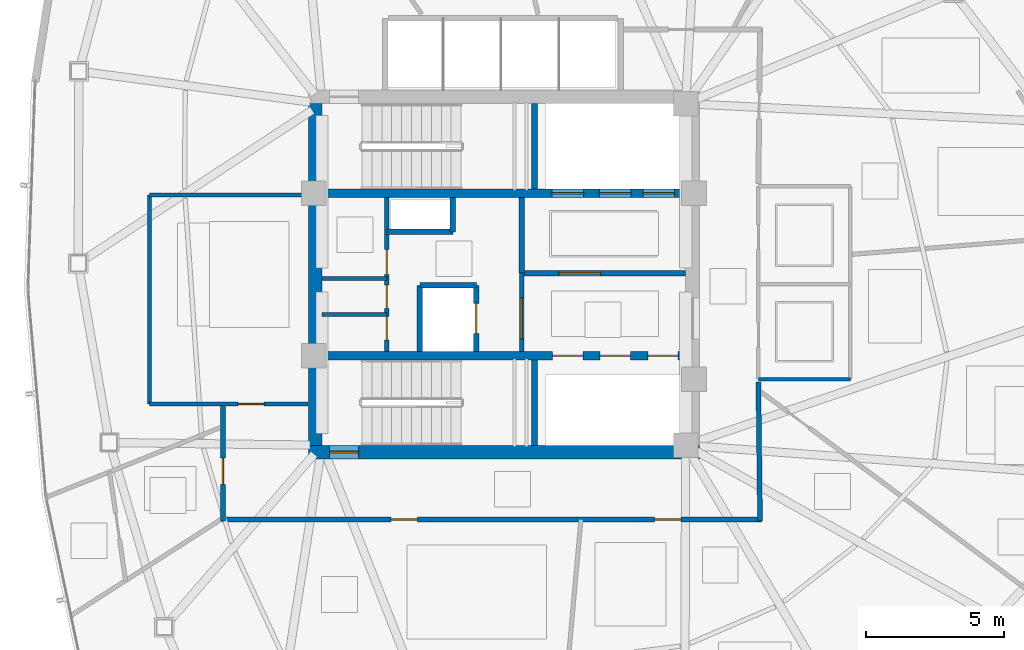
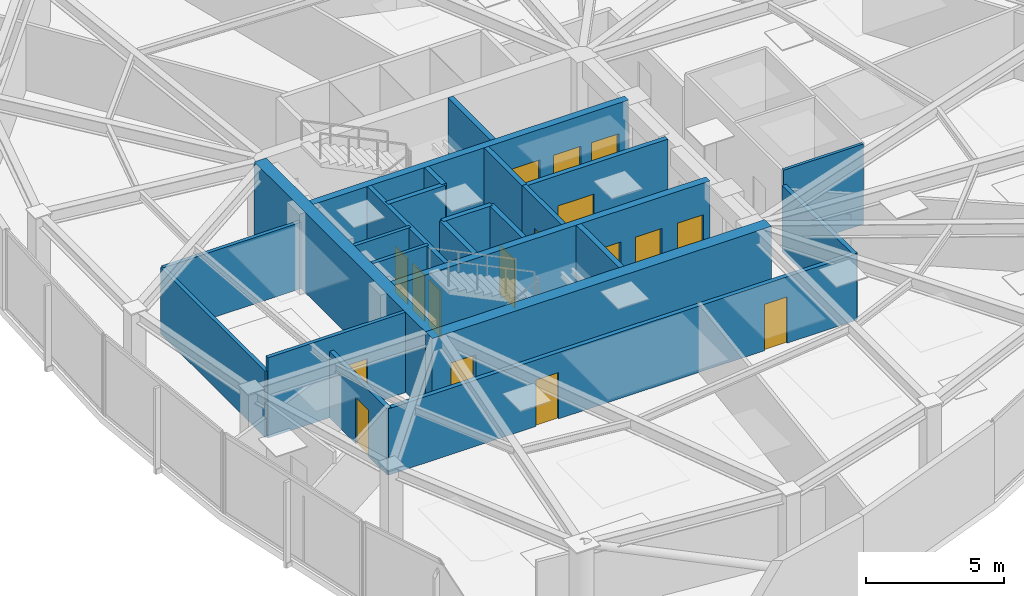
# One storey, part 11 of 17: 24 walls, 17 doors, 17 openings.
"""IFC4 building model written with IfcOpenShell, lengths in metres."""

import ifcopenshell
import ifcopenshell.guid

model = None  # the IFC model being written
_history = None  # IfcOwnerHistory: only IFC2X3 demands one
_inside = {}  # id of a spatial element -> (the spatial element, [elements in it])
_under = {}  # id of a project, library or spatial element -> (it, [spatial elements below it])
_declared = {}  # id of a project -> (the project, [libraries it declares])
_typed = {}  # id of a type object -> (the type object, [elements of that type])
_made_of = {}  # id of a material, layer set ... -> (it, [elements and type objects made of it])


def new_model(schema):
    """Start an empty IFC model of exactly this schema.

    Asked for "IFC4X3", IfcOpenShell would pick the latest addendum, in which some entities
    have other attributes; the version numbers below select the first issue.
    IFC2X3 requires an IfcOwnerHistory on every rooted entity: one is made here for all.
    """
    global model, _history
    if schema == "IFC4X3":
        model = ifcopenshell.file(schema_version=(4, 3, 0, 0))
    else:
        model = ifcopenshell.file(schema=schema)
    _inside.clear()
    _under.clear()
    _declared.clear()
    _typed.clear()
    _made_of.clear()
    _history = None
    if model.schema == "IFC2X3":
        org = make("IfcOrganization", Name="unknown")
        user = make(
            "IfcPersonAndOrganization",
            ThePerson=make("IfcPerson", FamilyName="unknown"),
            TheOrganization=org,
        )
        app = make(
            "IfcApplication",
            ApplicationDeveloper=org,
            Version="unknown",
            ApplicationFullName="unknown",
            ApplicationIdentifier="unknown",
        )
        _history = make(
            "IfcOwnerHistory",
            OwningUser=user,
            OwningApplication=app,
            ChangeAction="ADDED",
            CreationDate=0,
        )
    return model


def make(cls, **values):
    """One entity of the class cls with the attributes given. An attribute that is None is left unset."""
    return model.create_entity(
        cls, **{name: value for name, value in values.items() if value is not None}
    )


def rooted(cls, **values):
    """An entity with a GlobalId (a new one), such as an element, a storey or a relation."""
    return make(cls, GlobalId=ifcopenshell.guid.new(), OwnerHistory=_history, **values)


def si_unit(unit_type, name, prefix=None):
    """IfcSIUnit, for example si_unit("LENGTHUNIT", "METRE", prefix="MILLI")."""
    return make("IfcSIUnit", UnitType=unit_type, Prefix=prefix, Name=name)


def assignment(units):
    """IfcUnitAssignment: the units of a project."""
    return None if units is None else make("IfcUnitAssignment", Units=units)


def point(xyz):
    """IfcCartesianPoint."""
    return None if xyz is None else make("IfcCartesianPoint", Coordinates=xyz)


def direction(xyz):
    """IfcDirection."""
    return None if xyz is None else make("IfcDirection", DirectionRatios=xyz)


def frame(location, z_axis=None, x_axis=None):
    """IfcAxis2Placement3D, a coordinate frame: its origin and axes. An axis left out is left unset."""
    return make(
        "IfcAxis2Placement3D",
        Location=point(location),
        Axis=direction(z_axis),
        RefDirection=direction(x_axis),
    )


def frame_2d(location, x_axis=None):
    """IfcAxis2Placement2D, a coordinate frame in the plane: its origin and x axis."""
    return make(
        "IfcAxis2Placement2D", Location=point(location), RefDirection=direction(x_axis)
    )


def origin():
    """The frame at (0, 0, 0) with its axes left unset."""
    return frame((0.0, 0.0, 0.0))


def place(relative_to, where):
    """IfcLocalPlacement: puts the frame where relative to a parent placement (None: the world)."""
    return make(
        "IfcLocalPlacement", PlacementRelTo=relative_to, RelativePlacement=where
    )


def context(
    kind, dimensions, precision=None, world=None, true_north=None, identifier=None
):
    """IfcGeometricRepresentationContext, for example the 3D "Model" context."""
    return make(
        "IfcGeometricRepresentationContext",
        ContextIdentifier=identifier,
        ContextType=kind,
        CoordinateSpaceDimension=dimensions,
        Precision=precision,
        WorldCoordinateSystem=world,
        TrueNorth=true_north,
    )


def subcontext(parent, identifier, kind, view, scale=None):
    """IfcGeometricRepresentationSubContext, for example "Body" below "Model"."""
    return make(
        "IfcGeometricRepresentationSubContext",
        ContextIdentifier=identifier,
        ContextType=kind,
        ParentContext=parent,
        TargetScale=scale,
        TargetView=view,
    )


def project(units=None, contexts=None):
    """IfcProject with its units and contexts."""
    return rooted(
        "IfcProject",
        Name="project",
        RepresentationContexts=contexts,
        UnitsInContext=assignment(units),
    )


def spatial(cls, under=None, at=None, **own):
    """A site, building, storey or space (cls), placed at a placement, below another one or the project."""
    s = rooted(cls, ObjectPlacement=at, **own)
    if under is not None:
        _under.setdefault(under.id(), (under, []))[1].append(s)
    return s


def profile(cls, at=None, kind="AREA", **sizes):
    """A parametric profile (cls). Its sizes go by their IFC names, for example OverallWidth=200.0."""
    return make(cls, ProfileType=kind, Position=at, **sizes)


def rectangle(**sizes):
    """IfcRectangleProfileDef."""
    return profile("IfcRectangleProfileDef", **sizes)


def extrude(swept, where, along, depth):
    """IfcExtrudedAreaSolid: the profile swept, set in the frame where, extruded along a direction by depth."""
    return make(
        "IfcExtrudedAreaSolid",
        SweptArea=swept,
        Position=where,
        ExtrudedDirection=direction(along),
        Depth=depth,
    )


def shape(context_of_items, identifier, shape_type, items):
    """IfcShapeRepresentation: the items that make up one representation, for example the "Body"."""
    return make(
        "IfcShapeRepresentation",
        ContextOfItems=context_of_items,
        RepresentationIdentifier=identifier,
        RepresentationType=shape_type,
        Items=items,
    )


def material(Name=None, Category=None):
    """IfcMaterial."""
    return make("IfcMaterial", Name=Name, Category=Category)


def layer(
    of_material, thickness, ventilated=None, Name=None, Category=None, Priority=None
):
    """IfcMaterialLayer: one layer of a wall or slab, of a material (None: an air gap)."""
    return make(
        "IfcMaterialLayer",
        Material=of_material,
        LayerThickness=thickness,
        IsVentilated=ventilated,
        Name=Name,
        Category=Category,
        Priority=Priority,
    )


def layer_set(layers, Name=None):
    """IfcMaterialLayerSet."""
    return make("IfcMaterialLayerSet", MaterialLayers=layers, LayerSetName=Name)


def made_of(thing, what):
    """Note that an element or type object is made of a material, layer set ...; save() writes the relation."""
    if what is not None:
        _made_of.setdefault(what.id(), (what, []))[1].append(thing)
    return thing


def type_object(cls, material=None, **own):
    """A type object (cls), such as IfcWallType, which elements share."""
    return made_of(rooted(cls, **own), material)


def element(
    cls,
    number,
    at=None,
    inside=None,
    cuts=None,
    type_object=None,
    material=None,
    context=None,
    identifier="Body",
    shape_type=None,
    held_by="IfcProductDefinitionShape",
    body=None,
    shapes=None,
    **own,
):
    """One element of the class cls, such as IfcWall. Its Tag is "e" and its number.

    at: its placement. inside: the storey or other place that contains it. cuts: it is an
    opening in that element (IfcRelVoidsElement). A single representation is given by context,
    identifier, shape_type and body (its items); several are given by shapes. held_by: the class
    of the entity that holds the representations. save() writes the other relations.
    """
    e = rooted(cls, Tag="e%d" % number, ObjectPlacement=at, **own)
    if body is not None:
        shapes = [shape(context, identifier, shape_type, body)]
    if shapes is not None:
        e.Representation = make(held_by, Representations=shapes)
    if inside is not None:
        _inside.setdefault(inside.id(), (inside, []))[1].append(e)
    if cuts is not None:
        rooted(
            "IfcRelVoidsElement", RelatingBuildingElement=cuts, RelatedOpeningElement=e
        )
    if type_object is not None:
        _typed.setdefault(type_object.id(), (type_object, []))[1].append(e)
    return made_of(e, material)


def fill(opening, filler):
    """IfcRelFillsElement: the door or window that sits in an opening."""
    return rooted(
        "IfcRelFillsElement",
        RelatingOpeningElement=opening,
        RelatedBuildingElement=filler,
    )


def aggregate(whole, parts):
    """IfcRelAggregates: a whole, such as a stair, and the parts it consists of."""
    return rooted("IfcRelAggregates", RelatingObject=whole, RelatedObjects=parts)


def save(model, path):
    """Write the relations noted so far, then the file.

    IfcRelAggregates (storeys below a building ...), IfcRelContainedInSpatialStructure (elements
    in a storey), IfcRelDefinesByType, IfcRelAssociatesMaterial and IfcRelDeclares: one each for
    every whole, place, type object, material and project.
    """
    for whole, parts in _under.values():
        aggregate(whole, parts)
    for where, things in _inside.values():
        rooted(
            "IfcRelContainedInSpatialStructure",
            RelatedElements=things,
            RelatingStructure=where,
        )
    for kind, things in _typed.values():
        rooted("IfcRelDefinesByType", RelatedObjects=things, RelatingType=kind)
    for what, things in _made_of.values():
        rooted("IfcRelAssociatesMaterial", RelatedObjects=things, RelatingMaterial=what)
    for by, libraries in _declared.values():
        rooted("IfcRelDeclares", RelatingContext=by, RelatedDefinitions=libraries)
    model.write(path)


model = new_model("IFC4")

# Units and contexts
model_context = context("Model", 3, precision=1e-05, world=origin(), true_north=direction((0.0, 1.0)))
body_context = subcontext(model_context, "Body", "Model", "MODEL_VIEW")
ifc_project = project(units=[si_unit("LENGTHUNIT", "METRE"), si_unit("AREAUNIT", "SQUARE_METRE"), si_unit("VOLUMEUNIT", "CUBIC_METRE"), si_unit("PLANEANGLEUNIT", "RADIAN"), si_unit("MASSUNIT", "GRAM", prefix="KILO")], contexts=[model_context])

# Site, building, storey
site_placement = place(None, origin())
site = spatial("IfcSite", under=ifc_project, at=site_placement, CompositionType="ELEMENT")
building_placement = place(site_placement, origin())
building = spatial("IfcBuilding", under=site, at=building_placement, Name="Tavelor Broadcast Tower", CompositionType="ELEMENT")
storey_placement = place(building_placement, frame((0.0, 0.0, 165.64990234375)))
storey = spatial("IfcBuildingStorey", under=building, at=storey_placement, Name="L39", CompositionType="ELEMENT", Elevation=165.64990234375)

# Wall, opening, door
ifc_material_1 = material(Name="Concrete C50/60", Category="concrete")
ifc_layer_1 = layer(ifc_material_1, 0.5)
ifc_layer_set_1 = layer_set([ifc_layer_1], Name="Concrete C50/60")
wall_type_1 = type_object("IfcWallType", Name="Core Shear Wall 500 mm", PredefinedType="SHEAR", material=ifc_layer_set_1)
wall_1_placement = place(storey_placement, frame((42.89990234375, 38.550048828125, 0.0), z_axis=(0.0, 0.0, 1.0), x_axis=(1.0, 0.0, 0.0)))
wall_1 = element("IfcWall", 1, at=wall_1_placement, inside=storey, type_object=wall_type_1, Name="L39 Central Core Shear Wall S", PredefinedType="SHEAR", context=body_context, shape_type="SweptSolid", body=[
    extrude(rectangle(XDim=14.2001953125, YDim=0.5, at=frame_2d((7.10009765625, 0.0))), origin(), (0.0, 0.0, 1.0), 3.550048828125),
])
opening_1_placement = place(wall_1_placement, frame((0.780029296875, 0.0, 0.0)))
opening_1 = element("IfcOpeningElement", 2, at=opening_1_placement, cuts=wall_1, Name="Opening DR11", PredefinedType="OPENING", context=body_context, shape_type="SweptSolid", body=[
    extrude(rectangle(XDim=1.050048828125, YDim=2.199951171875, at=frame_2d((0.52490234375, 1.10009765625))), frame((0.0, 0.260009765625, 0.0), z_axis=(0.0, -1.0, 0.0), x_axis=(1.0, 0.0, 0.0)), (0.0, 0.0, 1.0), 0.52001953125),
])
ifc_material_2 = material(Name="Steel S355", Category="steel")
door_type_1 = type_object("IfcDoorType", Name="Stair Core Fire Escape Door 1050x2200", OperationType="NOTDEFINED", PredefinedType="DOOR", material=ifc_material_2)
door_1_placement = place(opening_1_placement, origin())
door_1 = element("IfcDoor", 3, at=door_1_placement, inside=storey, type_object=door_type_1, Name="L39 Stair ST2 Protected Exit Door", OperationType="SINGLE_SWING_RIGHT", OverallHeight=2.199951171875, OverallWidth=1.050048828125, PredefinedType="DOOR", context=body_context, shape_type="SweptSolid", body=[
    extrude(rectangle(XDim=1.050048828125, YDim=2.199951171875, at=frame_2d((0.52490234375, 1.10009765625))), frame((0.0, 0.02490234375, 0.0), z_axis=(0.0, -1.0, 0.0), x_axis=(1.0, 0.0, 0.0)), (0.0, 0.0, 1.0), 0.050048828125),
])
fill(opening_1, door_1)

# Wall
wall_2_placement = place(storey_placement, frame((43.14990234375, 38.800048828125, 0.0), z_axis=(0.0, 0.0, 1.0), x_axis=(0.0, 1.0, 0.0)))
element("IfcWall", 4, at=wall_2_placement, inside=storey, type_object=wall_type_1, Name="L39 Central Core Shear Wall W", PredefinedType="SHEAR", context=body_context, shape_type="SweptSolid", body=[
    extrude(rectangle(XDim=12.39990234375, YDim=0.5, at=frame_2d((6.199951171875, 0.0))), origin(), (0.0, 0.0, 1.0), 3.550048828125),
])

# Wall, openings, doors
ifc_layer_2 = layer(ifc_material_1, 0.300048828125)
ifc_layer_set_2 = layer_set([ifc_layer_2], Name="Concrete C50/60")
wall_type_2 = type_object("IfcWallType", Name="Core Spine Shear Wall 300 mm C50", PredefinedType="SHEAR", material=ifc_layer_set_2)
wall_3_placement = place(storey_placement, frame((43.39990234375, 47.949951171875, 0.0), z_axis=(0.0, 0.0, 1.0), x_axis=(1.0, 0.0, 0.0)))
wall_3 = element("IfcWall", 5, at=wall_3_placement, inside=storey, type_object=wall_type_2, Name="L39 Central Core Shear Wall SP1", PredefinedType="SHEAR", context=body_context, shape_type="SweptSolid", body=[
    extrude(rectangle(XDim=13.2001953125, YDim=0.300048828125, at=frame_2d((6.60009765625, 0.0))), origin(), (0.0, 0.0, 1.0), 3.550048828125),
])
opening_2_placement = place(wall_3_placement, frame((8.344970703125, 0.0, 0.0)))
opening_2 = element("IfcOpeningElement", 6, at=opening_2_placement, cuts=wall_3, Name="Opening LD02", PredefinedType="OPENING", context=body_context, shape_type="SweptSolid", body=[
    extrude(rectangle(XDim=1.14990234375, YDim=2.199951171875, at=frame_2d((0.574951171875, 1.10009765625))), frame((0.0, 0.16015625, 0.0), z_axis=(0.0, -1.0, 0.0), x_axis=(1.0, 0.0, 0.0)), (0.0, 0.0, 1.0), 0.320068359375),
])
opening_3_placement = place(wall_3_placement, frame((10.06494140625, 0.0, 0.0)))
opening_3 = element("IfcOpeningElement", 7, at=opening_3_placement, cuts=wall_3, Name="Opening LD02", PredefinedType="OPENING", context=body_context, shape_type="SweptSolid", body=[
    extrude(rectangle(XDim=1.14990234375, YDim=2.199951171875, at=frame_2d((0.574951171875, 1.10009765625))), frame((0.0, 0.16015625, 0.0), z_axis=(0.0, -1.0, 0.0), x_axis=(1.0, 0.0, 0.0)), (0.0, 0.0, 1.0), 0.320068359375),
])
opening_4_placement = place(wall_3_placement, frame((11.64501953125, 0.0, 0.0)))
opening_4 = element("IfcOpeningElement", 8, at=opening_4_placement, cuts=wall_3, Name="Opening LD03", PredefinedType="OPENING", context=body_context, shape_type="SweptSolid", body=[
    extrude(rectangle(XDim=1.14990234375, YDim=2.199951171875, at=frame_2d((0.574951171875, 1.10009765625))), frame((0.0, 0.16015625, 0.0), z_axis=(0.0, -1.0, 0.0), x_axis=(1.0, 0.0, 0.0)), (0.0, 0.0, 1.0), 0.320068359375),
])
ifc_material_3 = material(Name="Reinforced Brushed Stainless Steel", Category="concrete")
door_type_2 = type_object("IfcDoorType", Name="Broadcast Goods Lift Sliding Landing Door 1250x2200", OperationType="NOTDEFINED", PredefinedType="DOOR", material=ifc_material_3)
door_2_placement = place(opening_4_placement, origin())
door_2 = element("IfcDoor", 9, at=door_2_placement, inside=storey, type_object=door_type_2, Name="L39 Lift SVL1 Sliding Landing Door", OperationType="SLIDING_TO_LEFT", OverallHeight=2.199951171875, OverallWidth=1.14990234375, PredefinedType="DOOR", context=body_context, shape_type="SweptSolid", body=[
    extrude(rectangle(XDim=1.14990234375, YDim=2.199951171875, at=frame_2d((0.574951171875, 1.10009765625))), frame((0.0, 0.02490234375, 0.0), z_axis=(0.0, -1.0, 0.0), x_axis=(1.0, 0.0, 0.0)), (0.0, 0.0, 1.0), 0.050048828125),
])
fill(opening_4, door_2)
ifc_material_4 = material(Name="Fire-Rated Stainless Steel", Category="steel")
door_type_3 = type_object("IfcDoorType", Name="Firefighting Lift Sliding Landing Door 1200x2200", OperationType="NOTDEFINED", PredefinedType="DOOR", material=ifc_material_4)
door_3_placement = place(opening_2_placement, origin())
door_3 = element("IfcDoor", 10, at=door_3_placement, inside=storey, type_object=door_type_3, Name="L39 Lift FFL1 Sliding Landing Door", OperationType="SLIDING_TO_LEFT", OverallHeight=2.199951171875, OverallWidth=1.14990234375, PredefinedType="DOOR", context=body_context, shape_type="SweptSolid", body=[
    extrude(rectangle(XDim=1.14990234375, YDim=2.199951171875, at=frame_2d((0.574951171875, 1.10009765625))), frame((0.0, 0.02490234375, 0.0), z_axis=(0.0, -1.0, 0.0), x_axis=(1.0, 0.0, 0.0)), (0.0, 0.0, 1.0), 0.050048828125),
])
fill(opening_2, door_3)
door_4_placement = place(opening_3_placement, origin())
door_4 = element("IfcDoor", 11, at=door_4_placement, inside=storey, type_object=door_type_3, Name="L39 Lift FFL2 Sliding Landing Door", OperationType="SLIDING_TO_LEFT", OverallHeight=2.199951171875, OverallWidth=1.14990234375, PredefinedType="DOOR", context=body_context, shape_type="SweptSolid", body=[
    extrude(rectangle(XDim=1.14990234375, YDim=2.199951171875, at=frame_2d((0.574951171875, 1.10009765625))), frame((0.0, 0.02490234375, 0.0), z_axis=(0.0, -1.0, 0.0), x_axis=(1.0, 0.0, 0.0)), (0.0, 0.0, 1.0), 0.050048828125),
])
fill(opening_3, door_4)

wall_4_placement = place(storey_placement, frame((43.39990234375, 42.050048828125, 0.0), z_axis=(0.0, 0.0, 1.0), x_axis=(1.0, 0.0, 0.0)))
wall_4 = element("IfcWall", 12, at=wall_4_placement, inside=storey, type_object=wall_type_2, Name="L39 Central Core Shear Wall SP2", PredefinedType="SHEAR", context=body_context, shape_type="SweptSolid", body=[
    extrude(rectangle(XDim=13.2001953125, YDim=0.300048828125, at=frame_2d((6.60009765625, 0.0))), origin(), (0.0, 0.0, 1.0), 3.550048828125),
])
opening_5_placement = place(wall_4_placement, frame((8.3701171875, 0.0, 0.0)))
opening_5 = element("IfcOpeningElement", 13, at=opening_5_placement, cuts=wall_4, Name="Opening LD01", PredefinedType="OPENING", context=body_context, shape_type="SweptSolid", body=[
    extrude(rectangle(XDim=1.10009765625, YDim=2.14990234375, at=frame_2d((0.550048828125, 1.074951171875))), frame((0.0, 0.16015625, 0.0), z_axis=(0.0, -1.0, 0.0), x_axis=(1.0, 0.0, 0.0)), (0.0, 0.0, 1.0), 0.320068359375),
])
opening_6_placement = place(wall_4_placement, frame((10.090087890625, 0.0, 0.0)))
opening_6 = element("IfcOpeningElement", 14, at=opening_6_placement, cuts=wall_4, Name="Opening LD01", PredefinedType="OPENING", context=body_context, shape_type="SweptSolid", body=[
    extrude(rectangle(XDim=1.10009765625, YDim=2.14990234375, at=frame_2d((0.550048828125, 1.074951171875))), frame((0.0, 0.16015625, 0.0), z_axis=(0.0, -1.0, 0.0), x_axis=(1.0, 0.0, 0.0)), (0.0, 0.0, 1.0), 0.320068359375),
])
opening_7_placement = place(wall_4_placement, frame((11.830078125, 0.0, 0.0)))
opening_7 = element("IfcOpeningElement", 15, at=opening_7_placement, cuts=wall_4, Name="Opening LD01", PredefinedType="OPENING", context=body_context, shape_type="SweptSolid", body=[
    extrude(rectangle(XDim=1.10009765625, YDim=2.14990234375, at=frame_2d((0.550048828125, 1.074951171875))), frame((0.0, 0.16015625, 0.0), z_axis=(0.0, -1.0, 0.0), x_axis=(1.0, 0.0, 0.0)), (0.0, 0.0, 1.0), 0.320068359375),
])
ifc_material_5 = material(Name="Brushed Stainless Steel", Category="steel")
door_type_4 = type_object("IfcDoorType", Name="Passenger Lift Sliding Landing Door 1100x2150", OperationType="NOTDEFINED", PredefinedType="DOOR", material=ifc_material_5)
door_5_placement = place(opening_5_placement, origin())
door_5 = element("IfcDoor", 16, at=door_5_placement, inside=storey, type_object=door_type_4, Name="L39 Lift PLM1 Sliding Landing Door", OperationType="SLIDING_TO_LEFT", OverallHeight=2.14990234375, OverallWidth=1.10009765625, PredefinedType="DOOR", context=body_context, shape_type="SweptSolid", body=[
    extrude(rectangle(XDim=1.10009765625, YDim=2.14990234375, at=frame_2d((0.550048828125, 1.074951171875))), frame((0.0, 0.02490234375, 0.0), z_axis=(0.0, -1.0, 0.0), x_axis=(1.0, 0.0, 0.0)), (0.0, 0.0, 1.0), 0.050048828125),
])
fill(opening_5, door_5)
door_6_placement = place(opening_6_placement, origin())
door_6 = element("IfcDoor", 17, at=door_6_placement, inside=storey, type_object=door_type_4, Name="L39 Lift PLM2 Sliding Landing Door", OperationType="SLIDING_TO_LEFT", OverallHeight=2.14990234375, OverallWidth=1.10009765625, PredefinedType="DOOR", context=body_context, shape_type="SweptSolid", body=[
    extrude(rectangle(XDim=1.10009765625, YDim=2.14990234375, at=frame_2d((0.550048828125, 1.074951171875))), frame((0.0, 0.02490234375, 0.0), z_axis=(0.0, -1.0, 0.0), x_axis=(1.0, 0.0, 0.0)), (0.0, 0.0, 1.0), 0.050048828125),
])
fill(opening_6, door_6)
door_7_placement = place(opening_7_placement, origin())
door_7 = element("IfcDoor", 18, at=door_7_placement, inside=storey, type_object=door_type_4, Name="L39 Lift PLM3 Sliding Landing Door", OperationType="SLIDING_TO_LEFT", OverallHeight=2.14990234375, OverallWidth=1.10009765625, PredefinedType="DOOR", context=body_context, shape_type="SweptSolid", body=[
    extrude(rectangle(XDim=1.10009765625, YDim=2.14990234375, at=frame_2d((0.550048828125, 1.074951171875))), frame((0.0, 0.02490234375, 0.0), z_axis=(0.0, -1.0, 0.0), x_axis=(1.0, 0.0, 0.0)), (0.0, 0.0, 1.0), 0.050048828125),
])
fill(opening_7, door_7)

# Wall, opening, door
ifc_material_6 = material(Name="Calcium Silicate Fire Board 180 mm", Category="gypsum")
ifc_layer_3 = layer(ifc_material_6, 0.179931640625)
ifc_layer_set_3 = layer_set([ifc_layer_3], Name="Calcium Silicate Fire Board 180 mm")
wall_type_3 = type_object("IfcWallType", Name="Fire-Rated Corridor Partition Wall 180 mm", PredefinedType="PARTITIONING", material=ifc_layer_set_3)
wall_5_placement = place(storey_placement, frame((50.64990234375, 42.199951171875, 0.0), z_axis=(0.0, 0.0, 1.0), x_axis=(0.0, 1.0, 0.0)))
wall_5 = element("IfcWall", 19, at=wall_5_placement, inside=storey, type_object=wall_type_3, Name="L39 Core Lobby Zoning Wall", PredefinedType="PARTITIONING", context=body_context, shape_type="SweptSolid", body=[
    extrude(rectangle(XDim=2.85009765625, YDim=0.179931640625, at=frame_2d((1.425048828125, 0.0))), origin(), (0.0, 0.0, 1.0), 3.550048828125),
])
opening_8_placement = place(wall_5_placement, frame((0.449951171875, 0.0, 0.0)))
opening_8 = element("IfcOpeningElement", 20, at=opening_8_placement, cuts=wall_5, Name="Opening DR14", PredefinedType="OPENING", context=body_context, shape_type="SweptSolid", body=[
    extrude(rectangle(XDim=1.5, YDim=2.199951171875, at=frame_2d((0.75, 1.10009765625))), frame((0.0, 0.10009765625, 0.0), z_axis=(0.0, -1.0, 0.0), x_axis=(1.0, 0.0, 0.0)), (0.0, 0.0, 1.0), 0.199951171875),
])
door_type_5 = type_object("IfcDoorType", Name="Firefighting Lobby Double Fire Door 1500x2200", OperationType="NOTDEFINED", PredefinedType="DOOR", material=ifc_material_2)
door_8_placement = place(opening_8_placement, origin())
door_8 = element("IfcDoor", 21, at=door_8_placement, inside=storey, type_object=door_type_5, Name="L39 Core West Lobby Double Fire Door", OperationType="SINGLE_SWING_RIGHT", OverallHeight=2.199951171875, OverallWidth=1.5, PredefinedType="DOOR", context=body_context, shape_type="SweptSolid", body=[
    extrude(rectangle(XDim=1.5, YDim=2.199951171875, at=frame_2d((0.75, 1.10009765625))), frame((0.0, 0.02490234375, 0.0), z_axis=(0.0, -1.0, 0.0), x_axis=(1.0, 0.0, 0.0)), (0.0, 0.0, 1.0), 0.050048828125),
])
fill(opening_8, door_8)

# Wall, openings, doors
wall_6_placement = place(storey_placement, frame((45.75, 42.199951171875, 0.0), z_axis=(0.0, 0.0, 1.0), x_axis=(0.0, 1.0, 0.0)))
wall_6 = element("IfcWall", 22, at=wall_6_placement, inside=storey, type_object=wall_type_3, Name="L39 Core West Service East Wall", PredefinedType="PARTITIONING", context=body_context, shape_type="SweptSolid", body=[
    extrude(rectangle(XDim=5.60009765625, YDim=0.179931640625, at=frame_2d((2.800048828125, 0.0))), origin(), (0.0, 0.0, 1.0), 3.550048828125),
])
opening_9_placement = place(wall_6_placement, frame((0.419921875, 0.0, 0.0)))
opening_9 = element("IfcOpeningElement", 23, at=opening_9_placement, cuts=wall_6, Name="Opening DR36", PredefinedType="OPENING", context=body_context, shape_type="SweptSolid", body=[
    extrude(rectangle(XDim=0.85009765625, YDim=2.050048828125, at=frame_2d((0.425048828125, 1.02490234375))), frame((0.0, 0.10009765625, 0.0), z_axis=(0.0, -1.0, 0.0), x_axis=(1.0, 0.0, 0.0)), (0.0, 0.0, 1.0), 0.199951171875),
])
opening_10_placement = place(wall_6_placement, frame((1.570068359375, 0.0, 0.0)))
opening_10 = element("IfcOpeningElement", 24, at=opening_10_placement, cuts=wall_6, Name="Opening DR36", PredefinedType="OPENING", context=body_context, shape_type="SweptSolid", body=[
    extrude(rectangle(XDim=0.85009765625, YDim=2.050048828125, at=frame_2d((0.425048828125, 1.02490234375))), frame((0.0, 0.10009765625, 0.0), z_axis=(0.0, -1.0, 0.0), x_axis=(1.0, 0.0, 0.0)), (0.0, 0.0, 1.0), 0.199951171875),
])
opening_11_placement = place(wall_6_placement, frame((2.800048828125, 0.0, 0.0)))
opening_11 = element("IfcOpeningElement", 25, at=opening_11_placement, cuts=wall_6, Name="Opening DR32", PredefinedType="OPENING", context=body_context, shape_type="SweptSolid", body=[
    extrude(rectangle(XDim=0.89990234375, YDim=2.050048828125, at=frame_2d((0.449951171875, 1.02490234375))), frame((0.0, 0.10009765625, 0.0), z_axis=(0.0, -1.0, 0.0), x_axis=(1.0, 0.0, 0.0)), (0.0, 0.0, 1.0), 0.199951171875),
])
ifc_material_7 = material(Name="Timber Solid Core Hardwood", Category="wood")
door_type_6 = type_object("IfcDoorType", Name="Accessible Washroom Door 900x2050", OperationType="NOTDEFINED", PredefinedType="DOOR", material=ifc_material_7)
door_9_placement = place(opening_11_placement, origin())
door_9 = element("IfcDoor", 26, at=door_9_placement, inside=storey, type_object=door_type_6, Name="L39 Core Accessible WC Door", OperationType="SINGLE_SWING_LEFT", OverallHeight=2.050048828125, OverallWidth=0.89990234375, PredefinedType="DOOR", context=body_context, shape_type="SweptSolid", body=[
    extrude(rectangle(XDim=0.89990234375, YDim=2.050048828125, at=frame_2d((0.449951171875, 1.02490234375))), frame((0.0, 0.02490234375, 0.0), z_axis=(0.0, -1.0, 0.0), x_axis=(1.0, 0.0, 0.0)), (0.0, 0.0, 1.0), 0.050048828125),
])
fill(opening_11, door_9)
door_type_7 = type_object("IfcDoorType", Name="Service Room Fire Door 850x2050", OperationType="NOTDEFINED", PredefinedType="DOOR", material=ifc_material_2)
door_10_placement = place(opening_9_placement, origin())
door_10 = element("IfcDoor", 27, at=door_10_placement, inside=storey, type_object=door_type_7, Name="L39 Core Medical Room Door", OperationType="SINGLE_SWING_LEFT", OverallHeight=2.050048828125, OverallWidth=0.85009765625, PredefinedType="DOOR", context=body_context, shape_type="SweptSolid", body=[
    extrude(rectangle(XDim=0.85009765625, YDim=2.050048828125, at=frame_2d((0.425048828125, 1.02490234375))), frame((0.0, 0.02490234375, 0.0), z_axis=(0.0, -1.0, 0.0), x_axis=(1.0, 0.0, 0.0)), (0.0, 0.0, 1.0), 0.050048828125),
])
fill(opening_9, door_10)
door_11_placement = place(opening_10_placement, origin())
door_11 = element("IfcDoor", 28, at=door_11_placement, inside=storey, type_object=door_type_7, Name="L39 Core Copy Room Door", OperationType="SINGLE_SWING_RIGHT", OverallHeight=2.050048828125, OverallWidth=0.85009765625, PredefinedType="DOOR", context=body_context, shape_type="SweptSolid", body=[
    extrude(rectangle(XDim=0.85009765625, YDim=2.050048828125, at=frame_2d((0.425048828125, 1.02490234375))), frame((0.0, 0.02490234375, 0.0), z_axis=(0.0, -1.0, 0.0), x_axis=(1.0, 0.0, 0.0)), (0.0, 0.0, 1.0), 0.050048828125),
])
fill(opening_10, door_11)

# Wall
wall_7_placement = place(storey_placement, frame((59.240478515625, 41.10009765625, 0.0), z_axis=(0.0, 0.0, 1.0), x_axis=(0.011891834917, -0.999929289631, 0.0)))
element("IfcWall", 29, at=wall_7_placement, inside=storey, type_object=wall_type_3, Name="L39 Corridor Compartment Wall 03", PredefinedType="PARTITIONING", context=body_context, shape_type="SweptSolid", body=[
    extrude(rectangle(XDim=5.05029296875, YDim=0.179931640625, at=frame_2d((2.525146484375, 0.0))), origin(), (0.0, 0.0, 1.0), 2.93505859375),
])

# Wall, openings, doors
wall_8_placement = place(storey_placement, frame((59.35009765625, 36.10009765625, 0.0), z_axis=(0.0, 0.0, 1.0), x_axis=(-1.0, 0.0, 0.0)))
wall_8 = element("IfcWall", 30, at=wall_8_placement, inside=storey, type_object=wall_type_3, Name="L39 Corridor Compartment Wall 04", PredefinedType="PARTITIONING", context=body_context, shape_type="SweptSolid", body=[
    extrude(rectangle(XDim=19.60009765625, YDim=0.179931640625, at=frame_2d((9.800048828125, 0.0))), origin(), (0.0, 0.0, 1.0), 2.93505859375),
])
opening_12_placement = place(wall_8_placement, frame((2.923095703125, 0.0, 0.0)))
opening_12 = element("IfcOpeningElement", 31, at=opening_12_placement, cuts=wall_8, Name="Opening DR18", PredefinedType="OPENING", context=body_context, shape_type="SweptSolid", body=[
    extrude(rectangle(XDim=0.949951171875, YDim=2.050048828125, at=frame_2d((0.47509765625, 1.02490234375))), frame((0.0, 0.10009765625, 0.0), z_axis=(0.0, -1.0, 0.0), x_axis=(1.0, 0.0, 0.0)), (0.0, 0.0, 1.0), 0.199951171875),
])
opening_13_placement = place(wall_8_placement, frame((12.48779296875, 0.0, 0.0)))
opening_13 = element("IfcOpeningElement", 32, at=opening_13_placement, cuts=wall_8, Name="Opening DR18", PredefinedType="OPENING", context=body_context, shape_type="SweptSolid", body=[
    extrude(rectangle(XDim=0.949951171875, YDim=2.050048828125, at=frame_2d((0.47509765625, 1.02490234375))), frame((0.0, 0.10009765625, 0.0), z_axis=(0.0, -1.0, 0.0), x_axis=(1.0, 0.0, 0.0)), (0.0, 0.0, 1.0), 0.199951171875),
])
door_type_8 = type_object("IfcDoorType", Name="Corridor Rated Compartment Door 950x2050", OperationType="NOTDEFINED", PredefinedType="DOOR", material=ifc_material_7)
door_12_placement = place(opening_12_placement, origin())
door_12 = element("IfcDoor", 33, at=door_12_placement, inside=storey, type_object=door_type_8, Name="L39 Broadcast Script Study Door R0", OperationType="SINGLE_SWING_RIGHT", OverallHeight=2.050048828125, OverallWidth=0.949951171875, PredefinedType="DOOR", context=body_context, shape_type="SweptSolid", body=[
    extrude(rectangle(XDim=0.949951171875, YDim=2.050048828125, at=frame_2d((0.47509765625, 1.02490234375))), frame((0.0, 0.02490234375, 0.0), z_axis=(0.0, -1.0, 0.0), x_axis=(1.0, 0.0, 0.0)), (0.0, 0.0, 1.0), 0.050048828125),
])
fill(opening_12, door_12)
door_13_placement = place(opening_13_placement, origin())
door_13 = element("IfcDoor", 34, at=door_13_placement, inside=storey, type_object=door_type_8, Name="L39 Executive Reading Study Door R1", OperationType="SINGLE_SWING_LEFT", OverallHeight=2.050048828125, OverallWidth=0.949951171875, PredefinedType="DOOR", context=body_context, shape_type="SweptSolid", body=[
    extrude(rectangle(XDim=0.949951171875, YDim=2.050048828125, at=frame_2d((0.47509765625, 1.02490234375))), frame((0.0, 0.02490234375, 0.0), z_axis=(0.0, -1.0, 0.0), x_axis=(1.0, 0.0, 0.0)), (0.0, 0.0, 1.0), 0.050048828125),
])
fill(opening_13, door_13)

# Wall, opening, door
wall_9_placement = place(storey_placement, frame((39.800048828125, 36.050048828125, 0.0), z_axis=(0.0, 0.0, 1.0), x_axis=(0.0, 1.0, 0.0)))
wall_9 = element("IfcWall", 35, at=wall_9_placement, inside=storey, type_object=wall_type_3, Name="L39 Corridor Compartment Wall 05", PredefinedType="PARTITIONING", context=body_context, shape_type="SweptSolid", body=[
    extrude(rectangle(XDim=4.199951171875, YDim=0.179931640625, at=frame_2d((2.10009765625, 0.0))), origin(), (0.0, 0.0, 1.0), 2.93505859375),
])
opening_14_placement = place(wall_9_placement, frame((1.3330078125, 0.0, 0.0)))
opening_14 = element("IfcOpeningElement", 36, at=opening_14_placement, cuts=wall_9, Name="Opening DR18", PredefinedType="OPENING", context=body_context, shape_type="SweptSolid", body=[
    extrude(rectangle(XDim=0.949951171875, YDim=2.050048828125, at=frame_2d((0.47509765625, 1.02490234375))), frame((0.0, 0.10009765625, 0.0), z_axis=(0.0, -1.0, 0.0), x_axis=(1.0, 0.0, 0.0)), (0.0, 0.0, 1.0), 0.199951171875),
])
door_14_placement = place(opening_14_placement, origin())
door_14 = element("IfcDoor", 37, at=door_14_placement, inside=storey, type_object=door_type_8, Name="L39 Press Interview Room Door R9", OperationType="SINGLE_SWING_RIGHT", OverallHeight=2.050048828125, OverallWidth=0.949951171875, PredefinedType="DOOR", context=body_context, shape_type="SweptSolid", body=[
    extrude(rectangle(XDim=0.949951171875, YDim=2.050048828125, at=frame_2d((0.47509765625, 1.02490234375))), frame((0.0, 0.02490234375, 0.0), z_axis=(0.0, -1.0, 0.0), x_axis=(1.0, 0.0, 0.0)), (0.0, 0.0, 1.0), 0.050048828125),
])
fill(opening_14, door_14)

# Walls
ifc_material_8 = material(Name="Gypsum Acoustic Plasterboard 150 mm", Category="gypsum")
ifc_layer_4 = layer(ifc_material_8, 0.14990234375)
ifc_layer_set_4 = layer_set([ifc_layer_4], Name="Gypsum Acoustic Plasterboard 150 mm")
wall_type_4 = type_object("IfcWallType", Name="Interior Acoustic Partition Wall 150 mm", PredefinedType="PARTITIONING", material=ifc_layer_set_4)
for number, where, z_axis, x_axis, name in (
    (38, (43.39990234375, 43.550048828125, 0.0), (0.0, 0.0, 1.0), (1.0, 0.0, 0.0), "L39 Core Split Wall B1"),
    (39, (43.39990234375, 44.85009765625, 0.0), (0.0, 0.0, 1.0), (1.0, 0.0, 0.0), "L39 Core Split Wall B2"),
):
    element("IfcWall", number, at=place(storey_placement, frame(where, z_axis=z_axis, x_axis=x_axis)), inside=storey, type_object=wall_type_4, Name=name, PredefinedType="PARTITIONING", context=body_context, shape_type="SweptSolid", body=[
        extrude(rectangle(XDim=2.35009765625, YDim=0.14990234375, at=frame_2d((1.175048828125, 0.0))), origin(), (0.0, 0.0, 1.0), 3.550048828125),
    ])

# Wall, opening, door
wall_10_placement = place(storey_placement, frame((37.139892578125, 40.300048828125, 0.0), z_axis=(0.0, 0.0, 1.0), x_axis=(1.0, 0.0, 0.0)))
wall_10 = element("IfcWall", 40, at=wall_10_placement, inside=storey, type_object=wall_type_4, Name="L39 Reclaimed Shaft Pantry South Wall", PredefinedType="PARTITIONING", context=body_context, shape_type="SweptSolid", body=[
    extrude(rectangle(XDim=5.760009765625, YDim=0.14990234375, at=frame_2d((2.8798828125, 0.0))), origin(), (0.0, 0.0, 1.0), 3.550048828125),
])
opening_15_placement = place(wall_10_placement, frame((3.2099609375, 0.0, 0.0)))
opening_15 = element("IfcOpeningElement", 41, at=opening_15_placement, cuts=wall_10, Name="Opening DR18", PredefinedType="OPENING", context=body_context, shape_type="SweptSolid", body=[
    extrude(rectangle(XDim=0.949951171875, YDim=2.050048828125, at=frame_2d((0.47509765625, 1.02490234375))), frame((0.0, 0.0849609375, 0.0), z_axis=(0.0, -1.0, 0.0), x_axis=(1.0, 0.0, 0.0)), (0.0, 0.0, 1.0), 0.169921875),
])
door_15_placement = place(opening_15_placement, origin())
door_15 = element("IfcDoor", 42, at=door_15_placement, inside=storey, type_object=door_type_8, Name="L39 Broadcast IT Patch and Pantry Door", OperationType="SINGLE_SWING_LEFT", OverallHeight=2.050048828125, OverallWidth=0.949951171875, PredefinedType="DOOR", context=body_context, shape_type="SweptSolid", body=[
    extrude(rectangle(XDim=0.949951171875, YDim=2.050048828125, at=frame_2d((0.47509765625, 1.02490234375))), frame((0.0, 0.02490234375, 0.0), z_axis=(0.0, -1.0, 0.0), x_axis=(1.0, 0.0, 0.0)), (0.0, 0.0, 1.0), 0.050048828125),
])
fill(opening_15, door_15)

# Walls
wall_11_placement = place(storey_placement, frame((37.139892578125, 40.300048828125, 0.0), z_axis=(0.0, 0.0, 1.0), x_axis=(0.0, 1.0, 0.0)))
element("IfcWall", 43, at=wall_11_placement, inside=storey, type_object=wall_type_4, Name="L39 Reclaimed Shaft Pantry West Wall", PredefinedType="PARTITIONING", context=body_context, shape_type="SweptSolid", body=[
    extrude(rectangle(XDim=7.579833984375, YDim=0.14990234375, at=frame_2d((3.7900390625, 0.0))), origin(), (0.0, 0.0, 1.0), 2.93505859375),
])
wall_12_placement = place(storey_placement, frame((37.139892578125, 47.8798828125, 0.0), z_axis=(0.0, 0.0, 1.0), x_axis=(1.0, 0.0, 0.0)))
element("IfcWall", 44, at=wall_12_placement, inside=storey, type_object=wall_type_4, Name="L39 Reclaimed Shaft Pantry North Wall", PredefinedType="PARTITIONING", context=body_context, shape_type="SweptSolid", body=[
    extrude(rectangle(XDim=5.760009765625, YDim=0.14990234375, at=frame_2d((2.8798828125, 0.0))), origin(), (0.0, 0.0, 1.0), 2.93505859375),
])

# Wall, opening, door
ifc_material_9 = material(Name="Concrete Blockwork 200 mm", Category="masonry")
ifc_layer_5 = layer(ifc_material_9, 0.199951171875)
ifc_layer_set_5 = layer_set([ifc_layer_5], Name="Concrete Blockwork 200 mm")
wall_type_5 = type_object("IfcWallType", Name="Lift Hoistway Rated Front Wall 200 mm", PredefinedType="PARTITIONING", material=ifc_layer_set_5)
wall_13_placement = place(storey_placement, frame((49.0, 42.199951171875, 0.0), z_axis=(0.0, 0.0, 1.0), x_axis=(0.0, 1.0, 0.0)))
wall_13 = element("IfcWall", 45, at=wall_13_placement, inside=storey, type_object=wall_type_5, Name="L39 Mid-Rise Lift PLM4 Hoistway Front Wall", PredefinedType="PARTITIONING", context=body_context, shape_type="SweptSolid", body=[
    extrude(rectangle(XDim=2.400146484375, YDim=0.199951171875, at=frame_2d((1.2001953125, 0.0))), origin(), (0.0, 0.0, 1.0), 3.550048828125),
])
opening_16_placement = place(wall_13_placement, frame((0.64990234375, 0.0, 0.0)))
opening_16 = element("IfcOpeningElement", 46, at=opening_16_placement, cuts=wall_13, Name="Opening LD01", PredefinedType="OPENING", context=body_context, shape_type="SweptSolid", body=[
    extrude(rectangle(XDim=1.10009765625, YDim=2.14990234375, at=frame_2d((0.550048828125, 1.074951171875))), frame((0.0, 0.10986328125, 0.0), z_axis=(0.0, -1.0, 0.0), x_axis=(1.0, 0.0, 0.0)), (0.0, 0.0, 1.0), 0.219970703125),
])
door_16_placement = place(opening_16_placement, origin())
door_16 = element("IfcDoor", 47, at=door_16_placement, inside=storey, type_object=door_type_4, Name="L39 Lift PLM4 Sliding Landing Door", OperationType="SLIDING_TO_RIGHT", OverallHeight=2.14990234375, OverallWidth=1.10009765625, PredefinedType="DOOR", context=body_context, shape_type="SweptSolid", body=[
    extrude(rectangle(XDim=1.10009765625, YDim=2.14990234375, at=frame_2d((0.550048828125, 1.074951171875))), frame((0.0, 0.02490234375, 0.0), z_axis=(0.0, -1.0, 0.0), x_axis=(1.0, 0.0, 0.0)), (0.0, 0.0, 1.0), 0.050048828125),
])
fill(opening_16, door_16)

# Walls
ifc_layer_6 = layer(ifc_material_9, 0.199951171875)
ifc_layer_set_6 = layer_set([ifc_layer_6], Name="Concrete Blockwork 200 mm")
wall_type_6 = type_object("IfcWallType", Name="Lift and Riser Shaft Enclosure Wall 200 mm", PredefinedType="PARTITIONING", material=ifc_layer_set_6)
wall_14_placement = place(storey_placement, frame((45.75, 46.550048828125, 0.0), z_axis=(0.0, 0.0, 1.0), x_axis=(1.0, 0.0, 0.0)))
element("IfcWall", 48, at=wall_14_placement, inside=storey, type_object=wall_type_6, Name="L39 Riser Shaft South Wall", PredefinedType="PARTITIONING", context=body_context, shape_type="SweptSolid", body=[
    extrude(rectangle(XDim=2.39990234375, YDim=0.199951171875, at=frame_2d((1.199951171875, 0.0))), origin(), (0.0, 0.0, 1.0), 3.550048828125),
])
wall_15_placement = place(storey_placement, frame((48.14990234375, 46.550048828125, 0.0), z_axis=(0.0, 0.0, 1.0), x_axis=(0.0, 1.0, 0.0)))
element("IfcWall", 49, at=wall_15_placement, inside=storey, type_object=wall_type_6, Name="L39 Riser Shaft East Wall", PredefinedType="PARTITIONING", context=body_context, shape_type="SweptSolid", body=[
    extrude(rectangle(XDim=1.25, YDim=0.199951171875, at=frame_2d((0.625, 0.0))), origin(), (0.0, 0.0, 1.0), 3.550048828125),
])
wall_16_placement = place(storey_placement, frame((46.949951171875, 42.199951171875, 0.0), z_axis=(0.0, 0.0, 1.0), x_axis=(0.0, 1.0, 0.0)))
element("IfcWall", 50, at=wall_16_placement, inside=storey, type_object=wall_type_6, Name="L39 Mid-Rise Lift PLM4 West Wall", PredefinedType="PARTITIONING", context=body_context, shape_type="SweptSolid", body=[
    extrude(rectangle(XDim=2.400146484375, YDim=0.199951171875, at=frame_2d((1.2001953125, 0.0))), origin(), (0.0, 0.0, 1.0), 3.550048828125),
])
wall_17_placement = place(storey_placement, frame((46.949951171875, 44.60009765625, 0.0), z_axis=(0.0, 0.0, 1.0), x_axis=(1.0, 0.0, 0.0)))
element("IfcWall", 51, at=wall_17_placement, inside=storey, type_object=wall_type_6, Name="L39 Mid-Rise Lift PLM4 North Wall", PredefinedType="PARTITIONING", context=body_context, shape_type="SweptSolid", body=[
    extrude(rectangle(XDim=2.050048828125, YDim=0.199951171875, at=frame_2d((1.02490234375, 0.0))), origin(), (0.0, 0.0, 1.0), 3.550048828125),
])

# Wall, opening, door
wall_18_placement = place(storey_placement, frame((50.64990234375, 45.050048828125, 0.0), z_axis=(0.0, 0.0, 1.0), x_axis=(1.0, 0.0, 0.0)))
wall_18 = element("IfcWall", 52, at=wall_18_placement, inside=storey, type_object=wall_type_6, Name="L39 Firefighting Lobby South Wall", PredefinedType="PARTITIONING", context=body_context, shape_type="SweptSolid", body=[
    extrude(rectangle(XDim=5.9501953125, YDim=0.199951171875, at=frame_2d((2.97509765625, 0.0))), origin(), (0.0, 0.0, 1.0), 3.550048828125),
])
opening_17_placement = place(wall_18_placement, frame((1.35009765625, 0.0, 0.0)))
opening_17 = element("IfcOpeningElement", 53, at=opening_17_placement, cuts=wall_18, Name="Opening DR14", PredefinedType="OPENING", context=body_context, shape_type="SweptSolid", body=[
    extrude(rectangle(XDim=1.5, YDim=2.199951171875, at=frame_2d((0.75, 1.10009765625))), frame((0.0, 0.10986328125, 0.0), z_axis=(0.0, -1.0, 0.0), x_axis=(1.0, 0.0, 0.0)), (0.0, 0.0, 1.0), 0.219970703125),
])
door_17_placement = place(opening_17_placement, origin())
door_17 = element("IfcDoor", 54, at=door_17_placement, inside=storey, type_object=door_type_5, Name="L39 Firefighting Lobby Compartment Door", OperationType="SINGLE_SWING_LEFT", OverallHeight=2.199951171875, OverallWidth=1.5, PredefinedType="DOOR", context=body_context, shape_type="SweptSolid", body=[
    extrude(rectangle(XDim=1.5, YDim=2.199951171875, at=frame_2d((0.75, 1.10009765625))), frame((0.0, 0.02490234375, 0.0), z_axis=(0.0, -1.0, 0.0), x_axis=(1.0, 0.0, 0.0)), (0.0, 0.0, 1.0), 0.050048828125),
])
fill(opening_17, door_17)

# Walls
wall_19_placement = place(storey_placement, frame((50.64990234375, 45.050048828125, 0.0), z_axis=(0.0, 0.0, 1.0), x_axis=(0.0, 1.0, 0.0)))
element("IfcWall", 55, at=wall_19_placement, inside=storey, type_object=wall_type_6, Name="L39 Firefighting Lobby West Wall", PredefinedType="PARTITIONING", context=body_context, shape_type="SweptSolid", body=[
    extrude(rectangle(XDim=2.75, YDim=0.199951171875, at=frame_2d((1.375, 0.0))), origin(), (0.0, 0.0, 1.0), 3.550048828125),
])
ifc_material_10 = material(Name="Moisture-Resistant Plasterboard 120 mm", Category="gypsum")
ifc_layer_7 = layer(ifc_material_10, 0.1201171875)
ifc_layer_set_7 = layer_set([ifc_layer_7], Name="Moisture-Resistant Plasterboard 120 mm")
wall_type_7 = type_object("IfcWallType", Name="Moisture-Resistant Wet-Room Partition 120 mm", PredefinedType="PARTITIONING", material=ifc_layer_set_7)
wall_20_placement = place(storey_placement, frame((59.239990234375, 41.199951171875, 0.0), z_axis=(0.0, 0.0, 1.0), x_axis=(1.0, 0.0, 0.0)))
element("IfcWall", 56, at=wall_20_placement, inside=storey, type_object=wall_type_7, Name="L39 Floor Washrooms South Wall", PredefinedType="PARTITIONING", context=body_context, shape_type="SweptSolid", body=[
    extrude(rectangle(XDim=3.340087890625, YDim=0.1201171875, at=frame_2d((1.669921875, 0.0))), origin(), (0.0, 0.0, 1.0), 3.550048828125),
])
ifc_material_11 = material(Name="Concrete C40/50", Category="concrete")
ifc_layer_8 = layer(ifc_material_11, 0.219970703125)
ifc_layer_set_8 = layer_set([ifc_layer_8], Name="Concrete C40/50")
wall_type_8 = type_object("IfcWallType", Name="Structural Stairwell Shear Wall 220 mm", PredefinedType="SHEAR", material=ifc_layer_set_8)
for number, where, z_axis, x_axis, name in (
    (57, (51.110107421875, 48.10009765625, 0.0), (0.0, 0.0, 1.0), (0.0, 1.0, 0.0), "L39 Stair ST1 Structural Shaft Wall"),
    (58, (51.110107421875, 38.800048828125, 0.0), (0.0, 0.0, 1.0), (0.0, 1.0, 0.0), "L39 Stair ST2 Structural Shaft Wall"),
):
    element("IfcWall", number, at=place(storey_placement, frame(where, z_axis=z_axis, x_axis=x_axis)), inside=storey, type_object=wall_type_8, Name=name, PredefinedType="SHEAR", context=body_context, shape_type="SweptSolid", body=[
        extrude(rectangle(XDim=3.099853515625, YDim=0.219970703125, at=frame_2d((1.5498046875, 0.0))), origin(), (0.0, 0.0, 1.0), 3.550048828125),
    ])

save(model, "model.ifc")
